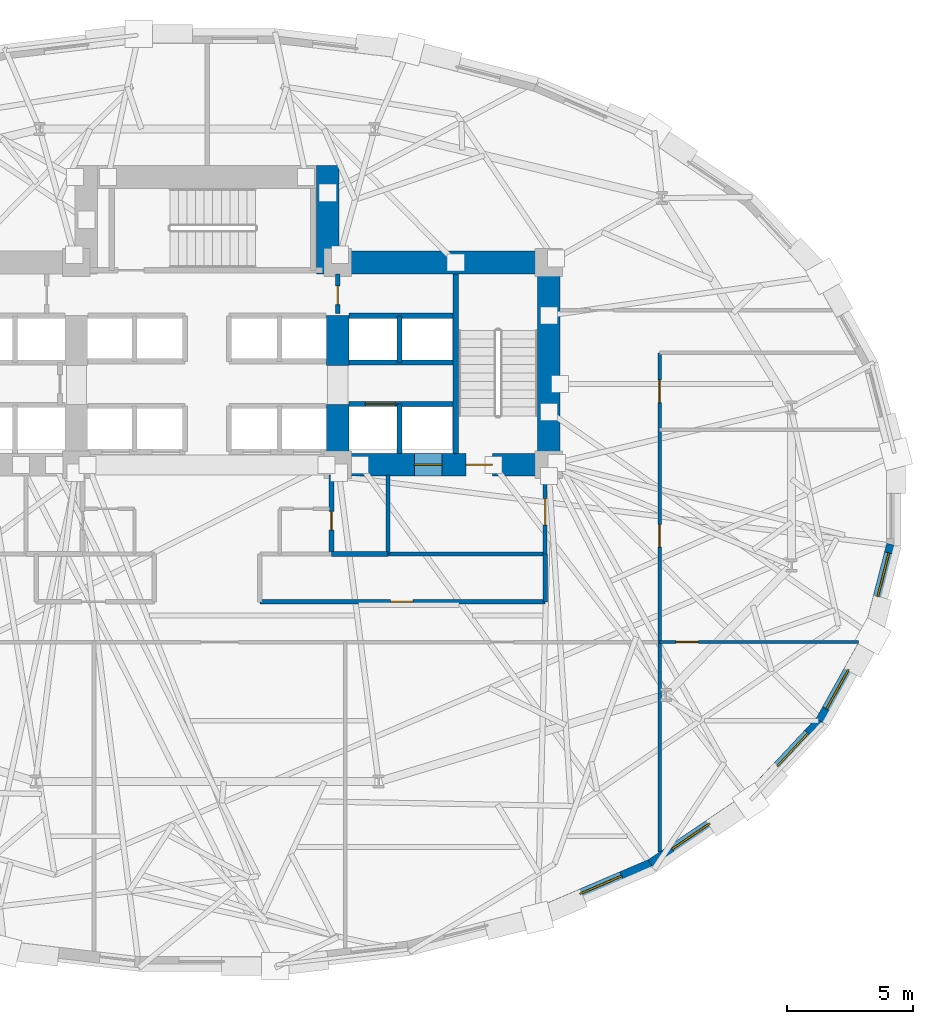
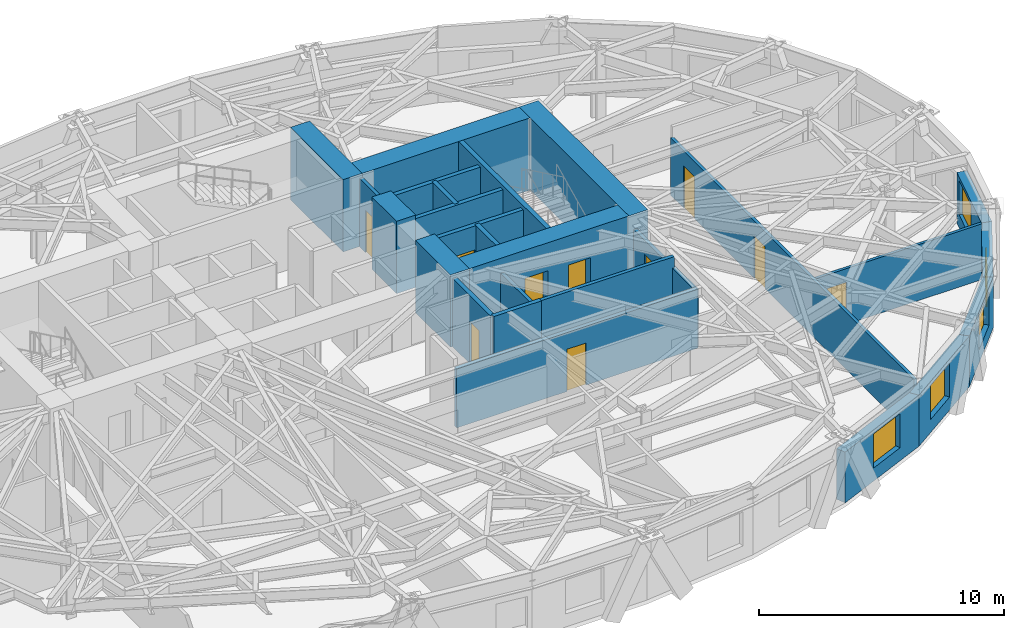
# One storey, part 8 of 13: 27 walls, 10 doors, 5 windows, 15 openings.
"""IFC4 building model written with IfcOpenShell, lengths in metres."""

from ifc_helpers import new_model, si_unit, direction, frame, frame_2d, origin, place, context, subcontext, project, spatial, rectangle, extrude, material, layer, layer_set, type_object, element, fill, save


model = new_model("IFC4")

# Units and contexts
model_context = context("Model", 3, precision=1e-05, world=origin(), true_north=direction((0.0, 1.0)))
body_context = subcontext(model_context, "Body", "Model", "MODEL_VIEW")
ifc_project = project(units=[si_unit("LENGTHUNIT", "METRE"), si_unit("AREAUNIT", "SQUARE_METRE"), si_unit("VOLUMEUNIT", "CUBIC_METRE"), si_unit("PLANEANGLEUNIT", "RADIAN"), si_unit("MASSUNIT", "GRAM", prefix="KILO")], contexts=[model_context])

# Site, building, storey
site_placement = place(None, origin())
site = spatial("IfcSite", under=ifc_project, at=site_placement, CompositionType="ELEMENT")
building_placement = place(site_placement, origin())
building = spatial("IfcBuilding", under=site, at=building_placement, Name="Keldmark Tower", CompositionType="ELEMENT")
storey_placement = place(building_placement, frame((0.0, 0.0, 45.0)))
storey = spatial("IfcBuildingStorey", under=building, at=storey_placement, Name="L11", CompositionType="ELEMENT", Elevation=45.0)

# Wall, openings, doors
ifc_material_1 = material(Name="Acoustic Double-Layer Gypsum Corridor Partition", Category="gypsum")
ifc_layer_1 = layer(ifc_material_1, 0.139892578125)
ifc_layer_set_1 = layer_set([ifc_layer_1], Name="Acoustic Double-Layer Gypsum Corridor Partition")
wall_type_1 = type_object("IfcWallType", Name="Acoustic Corridor Partition 140 mm", PredefinedType="PARTITIONING", material=ifc_layer_set_1)
wall_1_placement = place(storey_placement, frame((18.0, -13.999755859375, 0.0), z_axis=(0.0, 0.0, 1.0), x_axis=(0.0, 1.0, 0.0)))
wall_1 = element("IfcWall", 1, at=wall_1_placement, inside=storey, type_object=wall_type_1, Name="L11 Acoustic Corridor Partition 140 mm COR-E", PredefinedType="PARTITIONING", context=body_context, shape_type="SweptSolid", body=[
    extrude(rectangle(XDim=19.849853515625, YDim=0.139892578125, at=frame_2d((9.9248046875, 0.0))), origin(), (0.0, 0.0, 1.0), 2.841064453125),
])
opening_1_placement = place(wall_1_placement, frame((12.12451171875, 0.0, 0.0)))
opening_1 = element("IfcOpeningElement", 2, at=opening_1_placement, cuts=wall_1, Name="Opening D-IN090", PredefinedType="OPENING", context=body_context, shape_type="SweptSolid", body=[
    extrude(rectangle(XDim=0.89990234375, YDim=2.10009765625, at=frame_2d((0.449951171875, 1.050048828125))), frame((0.0, 0.079833984375, 0.0), z_axis=(0.0, -1.0, 0.0), x_axis=(1.0, 0.0, 0.0)), (0.0, 0.0, 1.0), 0.159912109375),
])
opening_2_placement = place(wall_1_placement, frame((17.87451171875, 0.0, 0.0)))
opening_2 = element("IfcOpeningElement", 3, at=opening_2_placement, cuts=wall_1, Name="Opening D-IN090", PredefinedType="OPENING", context=body_context, shape_type="SweptSolid", body=[
    extrude(rectangle(XDim=0.89990234375, YDim=2.10009765625, at=frame_2d((0.449951171875, 1.050048828125))), frame((0.0, 0.079833984375, 0.0), z_axis=(0.0, -1.0, 0.0), x_axis=(1.0, 0.0, 0.0)), (0.0, 0.0, 1.0), 0.159912109375),
])
ifc_material_2 = material(Name="Stained American White Oak Veneer", Category="wood")
door_type_1 = type_object("IfcDoorType", Name="Interior Door 900x2100", OperationType="NOTDEFINED", PredefinedType="DOOR", material=ifc_material_2)
door_1_placement = place(opening_1_placement, origin())
door_1 = element("IfcDoor", 4, at=door_1_placement, inside=storey, type_object=door_type_1, Name="L11 Interior Door 900x2100 D-ER-1-L11", OperationType="SINGLE_SWING_RIGHT", OverallHeight=2.10009765625, OverallWidth=0.89990234375, PredefinedType="DOOR", context=body_context, shape_type="SweptSolid", body=[
    extrude(rectangle(XDim=0.89990234375, YDim=2.10009765625, at=frame_2d((0.449951171875, 1.050048828125))), frame((0.0, 0.02490234375, 0.0), z_axis=(0.0, -1.0, 0.0), x_axis=(1.0, 0.0, 0.0)), (0.0, 0.0, 1.0), 0.050048828125),
])
fill(opening_1, door_1)
door_2_placement = place(opening_2_placement, origin())
door_2 = element("IfcDoor", 5, at=door_2_placement, inside=storey, type_object=door_type_1, Name="L11 Interior Door 900x2100 D-ER-2-L11", OperationType="SINGLE_SWING_LEFT", OverallHeight=2.10009765625, OverallWidth=0.89990234375, PredefinedType="DOOR", context=body_context, shape_type="SweptSolid", body=[
    extrude(rectangle(XDim=0.89990234375, YDim=2.10009765625, at=frame_2d((0.449951171875, 1.050048828125))), frame((0.0, 0.02490234375, 0.0), z_axis=(0.0, -1.0, 0.0), x_axis=(1.0, 0.0, 0.0)), (0.0, 0.0, 1.0), 0.050048828125),
])
fill(opening_2, door_2)

# Wall, opening, door
ifc_material_3 = material(Name="Heavy Acoustic Plumbing Chase Gypsum Assembly", Category="gypsum")
ifc_layer_2 = layer(ifc_material_3, 0.18994140625)
ifc_layer_set_2 = layer_set([ifc_layer_2], Name="Heavy Acoustic Plumbing Chase Gypsum Assembly")
wall_type_2 = type_object("IfcWallType", Name="Heavy Wet Wall 190 mm", PredefinedType="PLUMBINGWALL", material=ifc_layer_set_2)
wall_2_placement = place(storey_placement, frame((2.10009765625, -4.050048828125, 0.0), z_axis=(0.0, 0.0, 1.0), x_axis=(1.0, 0.0, 0.0)))
wall_2 = element("IfcWall", 6, at=wall_2_placement, inside=storey, type_object=wall_type_2, Name="L11 Heavy Wet Wall 190 mm SPK-E-S", PredefinedType="PLUMBINGWALL", context=body_context, shape_type="SweptSolid", body=[
    extrude(rectangle(XDim=11.349853515625, YDim=0.18994140625, at=frame_2d((5.6748046875, 0.0))), origin(), (0.0, 0.0, 1.0), 2.93310546875),
])
opening_3_placement = place(wall_2_placement, frame((5.199951171875, 0.0, 0.0)))
opening_3 = element("IfcOpeningElement", 7, at=opening_3_placement, cuts=wall_2, Name="Opening D-IN090", PredefinedType="OPENING", context=body_context, shape_type="SweptSolid", body=[
    extrude(rectangle(XDim=0.89990234375, YDim=2.10009765625, at=frame_2d((0.449951171875, 1.050048828125))), frame((0.0, 0.10498046875, 0.0), z_axis=(0.0, -1.0, 0.0), x_axis=(1.0, 0.0, 0.0)), (0.0, 0.0, 1.0), 0.2099609375),
])
door_3_placement = place(opening_3_placement, origin())
door_3 = element("IfcDoor", 8, at=door_3_placement, inside=storey, type_object=door_type_1, Name="L11 Interior Door 900x2100 D-SPKE1-L11", OperationType="SINGLE_SWING_RIGHT", OverallHeight=2.10009765625, OverallWidth=0.89990234375, PredefinedType="DOOR", context=body_context, shape_type="SweptSolid", body=[
    extrude(rectangle(XDim=0.89990234375, YDim=2.10009765625, at=frame_2d((0.449951171875, 1.050048828125))), frame((0.0, 0.02490234375, 0.0), z_axis=(0.0, -1.0, 0.0), x_axis=(1.0, 0.0, 0.0)), (0.0, 0.0, 1.0), 0.050048828125),
])
fill(opening_3, door_3)

# Wall
wall_3_placement = place(storey_placement, frame((13.449951171875, -4.050048828125, 0.0), z_axis=(0.0, 0.0, 1.0), x_axis=(0.0, 1.0, 0.0)))
element("IfcWall", 9, at=wall_3_placement, inside=storey, type_object=wall_type_2, Name="L11 Heavy Wet Wall 190 mm SPK-E-E", PredefinedType="PLUMBINGWALL", context=body_context, shape_type="SweptSolid", body=[
    extrude(rectangle(XDim=1.900146484375, YDim=0.18994140625, at=frame_2d((0.9501953125, 0.0))), origin(), (0.0, 0.0, 1.0), 2.85302734375),
])

# Wall, opening, door
ifc_material_4 = material(Name="Acoustic Gypsum Board Interior Partition", Category="gypsum")
ifc_layer_3 = layer(ifc_material_4, 0.1298828125)
ifc_layer_set_3 = layer_set([ifc_layer_3], Name="Acoustic Gypsum Board Interior Partition")
wall_type_3 = type_object("IfcWallType", Name="Interior Partition 130 mm", PredefinedType="PARTITIONING", material=ifc_layer_set_3)
wall_4_placement = place(storey_placement, frame((18.0, -5.64990234375, 0.0), z_axis=(0.0, 0.0, 1.0), x_axis=(1.0, 0.0, 0.0)))
wall_4 = element("IfcWall", 10, at=wall_4_placement, inside=storey, type_object=wall_type_3, Name="L11 Interior Partition 130 mm E-CAP-S", PredefinedType="PARTITIONING", context=body_context, shape_type="SweptSolid", body=[
    extrude(rectangle(XDim=7.91650390625, YDim=0.1298828125, at=frame_2d((3.958251953125, 0.0))), origin(), (0.0, 0.0, 1.0), 2.779052734375),
])
opening_4_placement = place(wall_4_placement, frame((0.64990234375, 0.0, 0.0)))
opening_4 = element("IfcOpeningElement", 11, at=opening_4_placement, cuts=wall_4, Name="Opening D-IN090", PredefinedType="OPENING", context=body_context, shape_type="SweptSolid", body=[
    extrude(rectangle(XDim=0.89990234375, YDim=2.10009765625, at=frame_2d((0.449951171875, 1.050048828125))), frame((0.0, 0.074951171875, 0.0), z_axis=(0.0, -1.0, 0.0), x_axis=(1.0, 0.0, 0.0)), (0.0, 0.0, 1.0), 0.14990234375),
])
door_4_placement = place(opening_4_placement, origin())
door_4 = element("IfcDoor", 12, at=door_4_placement, inside=storey, type_object=door_type_1, Name="L11 Interior Door 900x2100 D-ERSE-L11", OperationType="SINGLE_SWING_RIGHT", OverallHeight=2.10009765625, OverallWidth=0.89990234375, PredefinedType="DOOR", context=body_context, shape_type="SweptSolid", body=[
    extrude(rectangle(XDim=0.89990234375, YDim=2.10009765625, at=frame_2d((0.449951171875, 1.050048828125))), frame((0.0, 0.02490234375, 0.0), z_axis=(0.0, -1.0, 0.0), x_axis=(1.0, 0.0, 0.0)), (0.0, 0.0, 1.0), 0.050048828125),
])
fill(opening_4, door_4)

# Walls
ifc_material_5 = material(Name="Concrete C70/85", Category="concrete")
ifc_layer_4 = layer(ifc_material_5, 0.89990234375)
ifc_layer_set_4 = layer_set([ifc_layer_4], Name="Concrete C70/85")
wall_type_4 = type_object("IfcWallType", Name="Lower Core Shear Wall 900 mm", PredefinedType="SHEAR", material=ifc_layer_set_4)
wall_5_placement = place(storey_placement, frame((13.60009765625, 0.949951171875, 0.0), z_axis=(0.0, 0.0, 1.0), x_axis=(0.0, 1.0, 0.0)))
element("IfcWall", 13, at=wall_5_placement, inside=storey, type_object=wall_type_4, Name="L11 East Core Outer Shear Wall", PredefinedType="SHEAR", context=body_context, shape_type="SweptSolid", body=[
    extrude(rectangle(XDim=8.949951171875, YDim=0.89990234375, at=frame_2d((4.47509765625, 0.0))), origin(), (0.0, 0.0, 1.0), 3.60009765625),
])
wall_6_placement = place(storey_placement, frame((4.35009765625, 9.449951171875, 0.0), z_axis=(0.0, 0.0, 1.0), x_axis=(1.0, 0.0, 0.0)))
element("IfcWall", 14, at=wall_6_placement, inside=storey, type_object=wall_type_4, Name="L11 East Core North Shear Wall", PredefinedType="SHEAR", context=body_context, shape_type="SweptSolid", body=[
    extrude(rectangle(XDim=9.699951171875, YDim=0.89990234375, at=frame_2d((4.85009765625, 0.0))), origin(), (0.0, 0.0, 1.0), 3.60009765625),
])

# Wall, openings, doors
wall_7_placement = place(storey_placement, frame((14.050048828125, 1.39990234375, 0.0), z_axis=(0.0, 0.0, 1.0), x_axis=(-1.0, 0.0, 0.0)))
wall_7 = element("IfcWall", 15, at=wall_7_placement, inside=storey, type_object=wall_type_4, Name="L11 East Core South Shear Wall", PredefinedType="SHEAR", context=body_context, shape_type="SweptSolid", body=[
    extrude(rectangle(XDim=9.300048828125, YDim=0.89990234375, at=frame_2d((4.64990234375, 0.0))), origin(), (0.0, 0.0, 1.0), 3.60009765625),
])
opening_5_placement = place(wall_7_placement, frame((2.699951171875, 0.0, 0.0)))
opening_5 = element("IfcOpeningElement", 16, at=opening_5_placement, cuts=wall_7, Name="Opening D-ST105", PredefinedType="OPENING", context=body_context, shape_type="SweptSolid", body=[
    extrude(rectangle(XDim=1.050048828125, YDim=2.14990234375, at=frame_2d((0.52490234375, 1.074951171875))), frame((0.0, 0.4599609375, 0.0), z_axis=(0.0, -1.0, 0.0), x_axis=(1.0, 0.0, 0.0)), (0.0, 0.0, 1.0), 0.919921875),
])
opening_6_placement = place(wall_7_placement, frame((4.699951171875, 0.0, 0.0)))
opening_6 = element("IfcOpeningElement", 17, at=opening_6_placement, cuts=wall_7, Name="Opening LD-110", PredefinedType="OPENING", context=body_context, shape_type="SweptSolid", body=[
    extrude(rectangle(XDim=1.10009765625, YDim=2.199951171875, at=frame_2d((0.550048828125, 1.10009765625))), frame((0.0, 0.4599609375, 0.0), z_axis=(0.0, -1.0, 0.0), x_axis=(1.0, 0.0, 0.0)), (0.0, 0.0, 1.0), 0.919921875),
])
ifc_material_6 = material(Name="Brushed Bronze Hoistway Sliding Leaf", Category="metal")
door_type_2 = type_object("IfcDoorType", Name="Lift Landing Sliding Door 1100x2200", OperationType="SLIDING_TO_LEFT", PredefinedType="DOOR", material=ifc_material_6)
door_5_placement = place(opening_6_placement, origin())
door_5 = element("IfcDoor", 18, at=door_5_placement, inside=storey, type_object=door_type_2, Name="L11 Lift Landing Sliding Door 1100x2200 LD-EL-FS2-L11", OperationType="SLIDING_TO_LEFT", OverallHeight=2.199951171875, OverallWidth=1.10009765625, PredefinedType="DOOR", context=body_context, shape_type="SweptSolid", body=[
    extrude(rectangle(XDim=1.10009765625, YDim=2.199951171875, at=frame_2d((0.550048828125, 1.10009765625))), frame((0.0, 0.02490234375, 0.0), z_axis=(0.0, -1.0, 0.0), x_axis=(1.0, 0.0, 0.0)), (0.0, 0.0, 1.0), 0.050048828125),
])
fill(opening_6, door_5)
ifc_material_7 = material(Name="Hollow Metal Fire-Rated Door Assembly", Category="metal")
door_type_3 = type_object("IfcDoorType", Name="Stair Fire Door 1050x2150", OperationType="NOTDEFINED", PredefinedType="DOOR", material=ifc_material_7)
door_6_placement = place(opening_5_placement, origin())
door_6 = element("IfcDoor", 19, at=door_6_placement, inside=storey, type_object=door_type_3, Name="L11 Stair Fire Door 1050x2150 D-ST2-L11", OperationType="SINGLE_SWING_LEFT", OverallHeight=2.14990234375, OverallWidth=1.050048828125, PredefinedType="DOOR", context=body_context, shape_type="SweptSolid", body=[
    extrude(rectangle(XDim=1.050048828125, YDim=2.14990234375, at=frame_2d((0.52490234375, 1.074951171875))), frame((0.0, 0.02490234375, 0.0), z_axis=(0.0, -1.0, 0.0), x_axis=(1.0, 0.0, 0.0)), (0.0, 0.0, 1.0), 0.050048828125),
])
fill(opening_5, door_6)

# Walls
wall_8_placement = place(storey_placement, frame((5.199951171875, 0.949951171875, 0.0), z_axis=(0.0, 0.0, 1.0), x_axis=(0.0, 1.0, 0.0)))
element("IfcWall", 20, at=wall_8_placement, inside=storey, type_object=wall_type_4, Name="L11 East Core Inner Shear Pier South", PredefinedType="SHEAR", context=body_context, shape_type="SweptSolid", body=[
    extrude(rectangle(XDim=2.85009765625, YDim=0.89990234375, at=frame_2d((1.425048828125, 0.0))), origin(), (0.0, 0.0, 1.0), 3.60009765625),
])
wall_9_placement = place(storey_placement, frame((5.199951171875, 5.35009765625, 0.0), z_axis=(0.0, 0.0, 1.0), x_axis=(0.0, 1.0, 0.0)))
element("IfcWall", 21, at=wall_9_placement, inside=storey, type_object=wall_type_4, Name="L11 East Core Inner Shear Pier North", PredefinedType="SHEAR", context=body_context, shape_type="SweptSolid", body=[
    extrude(rectangle(XDim=2.0, YDim=0.89990234375, at=frame_2d((1.0, 0.0))), origin(), (0.0, 0.0, 1.0), 3.60009765625),
])
wall_10_placement = place(storey_placement, frame((4.800048828125, 9.0, 0.0), z_axis=(0.0, 0.0, 1.0), x_axis=(0.0, 1.0, 0.0)))
element("IfcWall", 22, at=wall_10_placement, inside=storey, type_object=wall_type_4, Name="L11 North Core East Shear Wall", PredefinedType="SHEAR", context=body_context, shape_type="SweptSolid", body=[
    extrude(rectangle(XDim=4.300048828125, YDim=0.89990234375, at=frame_2d((2.14990234375, 0.0))), origin(), (0.0, 0.0, 1.0), 3.60009765625),
])
ifc_material_8 = material(Name="Type X Fire-Rated Gypsum Partition Assembly", Category="gypsum")
ifc_layer_5 = layer(ifc_material_8, 0.1650390625)
ifc_layer_set_5 = layer_set([ifc_layer_5], Name="Type X Fire-Rated Gypsum Partition Assembly")
wall_type_5 = type_object("IfcWallType", Name="Rated Partition 165 mm", PredefinedType="PARTITIONING", material=ifc_layer_set_5)
wall_11_placement = place(storey_placement, frame((7.199951171875, -2.14990234375, 0.0), z_axis=(0.0, 0.0, 1.0), x_axis=(1.0, 0.0, 0.0)))
element("IfcWall", 23, at=wall_11_placement, inside=storey, type_object=wall_type_5, Name="L11 Rated Partition 165 mm FSAE-E-S", PredefinedType="PARTITIONING", context=body_context, shape_type="SweptSolid", body=[
    extrude(rectangle(XDim=6.25, YDim=0.1650390625, at=frame_2d((3.125, 0.0))), origin(), (0.0, 0.0, 1.0), 3.39990234375),
])
wall_12_placement = place(storey_placement, frame((7.199951171875, -2.14990234375, 0.0), z_axis=(0.0, 0.0, 1.0), x_axis=(0.0, 1.0, 0.0)))
element("IfcWall", 24, at=wall_12_placement, inside=storey, type_object=wall_type_5, Name="L11 Rated Partition 165 mm FSAE-E-W", PredefinedType="PARTITIONING", context=body_context, shape_type="SweptSolid", body=[
    extrude(rectangle(XDim=3.14990234375, YDim=0.1650390625, at=frame_2d((1.574951171875, 0.0))), origin(), (0.0, 0.0, 1.0), 2.85302734375),
])

# Wall, opening, door
wall_13_placement = place(storey_placement, frame((13.449951171875, -2.14990234375, 0.0), z_axis=(0.0, 0.0, 1.0), x_axis=(0.0, 1.0, 0.0)))
wall_13 = element("IfcWall", 25, at=wall_13_placement, inside=storey, type_object=wall_type_5, Name="L11 Rated Partition 165 mm FSAE-E-E", PredefinedType="PARTITIONING", context=body_context, shape_type="SweptSolid", body=[
    extrude(rectangle(XDim=3.14990234375, YDim=0.1650390625, at=frame_2d((1.574951171875, 0.0))), origin(), (0.0, 0.0, 1.0), 2.85302734375),
])
opening_7_placement = place(wall_13_placement, frame((1.14990234375, 0.0, 0.0)))
opening_7 = element("IfcOpeningElement", 26, at=opening_7_placement, cuts=wall_13, Name="Opening D-FL105", PredefinedType="OPENING", context=body_context, shape_type="SweptSolid", body=[
    extrude(rectangle(XDim=1.050048828125, YDim=2.14990234375, at=frame_2d((0.52490234375, 1.074951171875))), frame((0.0, 0.092529296875, 0.0), z_axis=(0.0, -1.0, 0.0), x_axis=(1.0, 0.0, 0.0)), (0.0, 0.0, 1.0), 0.18505859375),
])
ifc_material_9 = material(Name="Fire-Rated Mineral-Core Door and Vision Lite", Category="metal")
door_type_4 = type_object("IfcDoorType", Name="Fire Lobby Door 1050x2150", OperationType="NOTDEFINED", PredefinedType="DOOR", material=ifc_material_9)
door_7_placement = place(opening_7_placement, origin())
door_7 = element("IfcDoor", 27, at=door_7_placement, inside=storey, type_object=door_type_4, Name="L11 Fire Lobby Door 1050x2150 D-FSAEE-OUT-L11", OperationType="SINGLE_SWING_LEFT", OverallHeight=2.14990234375, OverallWidth=1.050048828125, PredefinedType="DOOR", context=body_context, shape_type="SweptSolid", body=[
    extrude(rectangle(XDim=1.050048828125, YDim=2.14990234375, at=frame_2d((0.52490234375, 1.074951171875))), frame((0.0, 0.02490234375, 0.0), z_axis=(0.0, -1.0, 0.0), x_axis=(1.0, 0.0, 0.0)), (0.0, 0.0, 1.0), 0.050048828125),
])
fill(opening_7, door_7)

wall_14_placement = place(storey_placement, frame((5.199951171875, 7.419921875, 0.0), z_axis=(0.0, 0.0, 1.0), x_axis=(0.0, 1.0, 0.0)))
wall_14 = element("IfcWall", 28, at=wall_14_placement, inside=storey, type_object=wall_type_5, Name="L11 Rated Partition 165 mm CS-NE-W", PredefinedType="PARTITIONING", context=body_context, shape_type="SweptSolid", body=[
    extrude(rectangle(XDim=1.580078125, YDim=0.1650390625, at=frame_2d((0.7900390625, 0.0))), origin(), (0.0, 0.0, 1.0), 3.39990234375),
])
opening_8_placement = place(wall_14_placement, frame((0.35009765625, 0.0, 0.0)))
opening_8 = element("IfcOpeningElement", 29, at=opening_8_placement, cuts=wall_14, Name="Opening D-RS075", PredefinedType="OPENING", context=body_context, shape_type="SweptSolid", body=[
    extrude(rectangle(XDim=0.75, YDim=2.10009765625, at=frame_2d((0.375, 1.050048828125))), frame((0.0, 0.092529296875, 0.0), z_axis=(0.0, -1.0, 0.0), x_axis=(1.0, 0.0, 0.0)), (0.0, 0.0, 1.0), 0.18505859375),
])
ifc_material_10 = material(Name="Galvanized Fire-Rated Access Leaf", Category="metal")
door_type_5 = type_object("IfcDoorType", Name="Riser Access Door 750x2100", OperationType="NOTDEFINED", PredefinedType="DOOR", material=ifc_material_10)
door_8_placement = place(opening_8_placement, origin())
door_8 = element("IfcDoor", 30, at=door_8_placement, inside=storey, type_object=door_type_5, Name="L11 Riser Access Door 750x2100 D-CSNE1-L11", OperationType="SINGLE_SWING_LEFT", OverallHeight=2.10009765625, OverallWidth=0.75, PredefinedType="DOOR", context=body_context, shape_type="SweptSolid", body=[
    extrude(rectangle(XDim=0.75, YDim=2.10009765625, at=frame_2d((0.375, 1.050048828125))), frame((0.0, 0.02490234375, 0.0), z_axis=(0.0, -1.0, 0.0), x_axis=(1.0, 0.0, 0.0)), (0.0, 0.0, 1.0), 0.050048828125),
])
fill(opening_8, door_8)

# Wall
ifc_material_11 = material(Name="Fire-Resistant Type X Gypsum Shaftliner Coreboard", Category="gypsum")
ifc_layer_6 = layer(ifc_material_11, 0.199951171875)
ifc_layer_set_6 = layer_set([ifc_layer_6], Name="Fire-Resistant Type X Gypsum Shaftliner Coreboard")
wall_type_6 = type_object("IfcWallType", Name="Shaft Wall 200 mm", PredefinedType="SOLIDWALL", material=ifc_layer_set_6)
wall_15_placement = place(storey_placement, frame((4.949951171875, -2.14990234375, 0.0), z_axis=(0.0, 0.0, 1.0), x_axis=(1.0, 0.0, 0.0)))
element("IfcWall", 31, at=wall_15_placement, inside=storey, type_object=wall_type_6, Name="L11 Shaft Wall 200 mm RIS-SE-S", PredefinedType="SOLIDWALL", context=body_context, shape_type="SweptSolid", body=[
    extrude(rectangle(XDim=2.25, YDim=0.199951171875, at=frame_2d((1.125, 0.0))), origin(), (0.0, 0.0, 1.0), 3.39990234375),
])

# Wall, opening, door
wall_16_placement = place(storey_placement, frame((4.949951171875, -2.14990234375, 0.0), z_axis=(0.0, 0.0, 1.0), x_axis=(0.0, 1.0, 0.0)))
wall_16 = element("IfcWall", 32, at=wall_16_placement, inside=storey, type_object=wall_type_6, Name="L11 Shaft Wall 200 mm RIS-SE-W", PredefinedType="SOLIDWALL", context=body_context, shape_type="SweptSolid", body=[
    extrude(rectangle(XDim=3.14990234375, YDim=0.199951171875, at=frame_2d((1.574951171875, 0.0))), origin(), (0.0, 0.0, 1.0), 3.39990234375),
])
opening_9_placement = place(wall_16_placement, frame((0.949951171875, 0.0, 0.0)))
opening_9 = element("IfcOpeningElement", 33, at=opening_9_placement, cuts=wall_16, Name="Opening D-RS075", PredefinedType="OPENING", context=body_context, shape_type="SweptSolid", body=[
    extrude(rectangle(XDim=0.75, YDim=2.10009765625, at=frame_2d((0.375, 1.050048828125))), frame((0.0, 0.10986328125, 0.0), z_axis=(0.0, -1.0, 0.0), x_axis=(1.0, 0.0, 0.0)), (0.0, 0.0, 1.0), 0.219970703125),
])
door_9_placement = place(opening_9_placement, origin())
door_9 = element("IfcDoor", 34, at=door_9_placement, inside=storey, type_object=door_type_5, Name="L11 Riser Access Door 750x2100 D-RISSE-L11", OperationType="SINGLE_SWING_LEFT", OverallHeight=2.10009765625, OverallWidth=0.75, PredefinedType="DOOR", context=body_context, shape_type="SweptSolid", body=[
    extrude(rectangle(XDim=0.75, YDim=2.10009765625, at=frame_2d((0.375, 1.050048828125))), frame((0.0, 0.02490234375, 0.0), z_axis=(0.0, -1.0, 0.0), x_axis=(1.0, 0.0, 0.0)), (0.0, 0.0, 1.0), 0.050048828125),
])
fill(opening_9, door_9)

wall_17_placement = place(storey_placement, frame((5.64990234375, 3.820068359375, 0.0), z_axis=(0.0, 0.0, 1.0), x_axis=(1.0, 0.0, 0.0)))
wall_17 = element("IfcWall", 35, at=wall_17_placement, inside=storey, type_object=wall_type_6, Name="L11 Shaft Wall 200 mm HW-E-S", PredefinedType="SOLIDWALL", context=body_context, shape_type="SweptSolid", body=[
    extrude(rectangle(XDim=4.130126953125, YDim=0.199951171875, at=frame_2d((2.06494140625, 0.0))), origin(), (0.0, 0.0, 1.0), 3.39990234375),
])
opening_10_placement = place(wall_17_placement, frame((0.64990234375, 0.0, 0.0)))
opening_10 = element("IfcOpeningElement", 36, at=opening_10_placement, cuts=wall_17, Name="Opening LD-120", PredefinedType="OPENING", context=body_context, shape_type="SweptSolid", body=[
    extrude(rectangle(XDim=1.199951171875, YDim=2.199951171875, at=frame_2d((0.60009765625, 1.10009765625))), frame((0.0, 0.10986328125, 0.0), z_axis=(0.0, -1.0, 0.0), x_axis=(1.0, 0.0, 0.0)), (0.0, 0.0, 1.0), 0.219970703125),
])
ifc_material_12 = material(Name="Heavy-Duty Brushed Metal Hoistway Sliding Leaf", Category="metal")
door_type_6 = type_object("IfcDoorType", Name="Service Lift Sliding Door 1200x2200", OperationType="SLIDING_TO_RIGHT", PredefinedType="DOOR", material=ifc_material_12)
door_10_placement = place(opening_10_placement, origin())
door_10 = element("IfcDoor", 37, at=door_10_placement, inside=storey, type_object=door_type_6, Name="L11 Service Lift Sliding Door 1200x2200 LD-EL-SV1-L11", OperationType="SLIDING_TO_RIGHT", OverallHeight=2.199951171875, OverallWidth=1.199951171875, PredefinedType="DOOR", context=body_context, shape_type="SweptSolid", body=[
    extrude(rectangle(XDim=1.199951171875, YDim=2.199951171875, at=frame_2d((0.60009765625, 1.10009765625))), frame((0.0, 0.02490234375, 0.0), z_axis=(0.0, -1.0, 0.0), x_axis=(1.0, 0.0, 0.0)), (0.0, 0.0, 1.0), 0.050048828125),
])
fill(opening_10, door_10)

# Walls
wall_18_placement = place(storey_placement, frame((7.64990234375, 1.85009765625, 0.0), z_axis=(0.0, 0.0, 1.0), x_axis=(0.0, 1.0, 0.0)))
element("IfcWall", 38, at=wall_18_placement, inside=storey, type_object=wall_type_6, Name="L11 Shaft Wall 200 mm HW-E-M", PredefinedType="SOLIDWALL", context=body_context, shape_type="SweptSolid", body=[
    extrude(rectangle(XDim=1.969970703125, YDim=0.199951171875, at=frame_2d((0.98486328125, 0.0))), origin(), (0.0, 0.0, 1.0), 3.39990234375),
])
for number, where, z_axis, x_axis, name in (
    (39, (5.64990234375, 5.469970703125, 0.0), (0.0, 0.0, 1.0), (1.0, 0.0, 0.0), "L11 Shaft Wall 200 mm HW-E-N"),
    (40, (5.64990234375, 7.330078125, 0.0), (0.0, 0.0, 1.0), (1.0, 0.0, 0.0), "L11 Shaft Wall 200 mm HW-E-TOP"),
):
    element("IfcWall", number, at=place(storey_placement, frame(where, z_axis=z_axis, x_axis=x_axis)), inside=storey, type_object=wall_type_6, Name=name, PredefinedType="SOLIDWALL", context=body_context, shape_type="SweptSolid", body=[
        extrude(rectangle(XDim=4.130126953125, YDim=0.199951171875, at=frame_2d((2.06494140625, 0.0))), origin(), (0.0, 0.0, 1.0), 3.39990234375),
    ])
wall_19_placement = place(storey_placement, frame((7.64990234375, 5.469970703125, 0.0), z_axis=(0.0, 0.0, 1.0), x_axis=(0.0, 1.0, 0.0)))
element("IfcWall", 41, at=wall_19_placement, inside=storey, type_object=wall_type_6, Name="L11 Shaft Wall 200 mm HW-E-NM", PredefinedType="SOLIDWALL", context=body_context, shape_type="SweptSolid", body=[
    extrude(rectangle(XDim=1.860107421875, YDim=0.199951171875, at=frame_2d((0.93017578125, 0.0))), origin(), (0.0, 0.0, 1.0), 3.39990234375),
])
ifc_material_13 = material(Name="Concrete C50/60", Category="concrete")
ifc_layer_7 = layer(ifc_material_13, 0.219970703125)
ifc_layer_set_7 = layer_set([ifc_layer_7], Name="Concrete C50/60")
wall_type_7 = type_object("IfcWallType", Name="Stair Core Shear Wall 220 mm", PredefinedType="SHEAR", material=ifc_layer_set_7)
wall_20_placement = place(storey_placement, frame((9.889892578125, 1.85009765625, 0.0), z_axis=(0.0, 0.0, 1.0), x_axis=(0.0, 1.0, 0.0)))
element("IfcWall", 42, at=wall_20_placement, inside=storey, type_object=wall_type_7, Name="L11 East Stair Core Shear Wall", PredefinedType="SHEAR", context=body_context, shape_type="SweptSolid", body=[
    extrude(rectangle(XDim=7.14990234375, YDim=0.219970703125, at=frame_2d((3.574951171875, 0.0))), origin(), (0.0, 0.0, 1.0), 3.60009765625),
])

# Wall, opening, window
ifc_material_14 = material(Name="Ironspot Manganese Brick and Kasota Buff Limestone Spandrel Assembly", Category="masonry")
ifc_layer_8 = layer(ifc_material_14, 0.43994140625)
ifc_layer_set_8 = layer_set([ifc_layer_8], Name="Ironspot Manganese Brick and Kasota Buff Limestone Spandrel Assembly")
wall_type_8 = type_object("IfcWallType", Name="Tower Brick Pier and Spandrel Wall 440 mm", PredefinedType="STANDARD", material=ifc_layer_set_8)
wall_21_placement = place(storey_placement, frame((17.69970703125, -14.4833984375, 0.0), z_axis=(0.0, 0.0, 1.0), x_axis=(-0.918881850071, -0.394532819433, 0.0)))
wall_21 = element("IfcWall", 43, at=wall_21_placement, inside=storey, type_object=wall_type_8, Name="L11 Exterior Brick and Spandrel Wall 27", PredefinedType="STANDARD", context=body_context, shape_type="SweptSolid", body=[
    extrude(rectangle(XDim=5.0419921875, YDim=0.43994140625, at=frame_2d((2.52099609375, 0.0))), origin(), (0.0, 0.0, 1.0), 2.529052734375),
])
opening_11_placement = place(wall_21_placement, frame((1.296875, 0.0, 0.64990234375)))
opening_11 = element("IfcOpeningElement", 44, at=opening_11_placement, cuts=wall_21, Name="Opening W-02", PredefinedType="OPENING", context=body_context, shape_type="SweptSolid", body=[
    extrude(rectangle(XDim=1.800048828125, YDim=1.699951171875, at=frame_2d((0.89990234375, 0.85009765625))), frame((0.0, 0.22998046875, 0.0), z_axis=(0.0, -1.0, 0.0), x_axis=(1.0, 0.0, 0.0)), (0.0, 0.0, 1.0), 0.4599609375),
])
ifc_material_15 = material(Name="Thermally Broken Anodized Aluminum and Triple Low-E Argon Glazing", Category="aluminium")
window_type = type_object("IfcWindowType", Name="Office Deep-Set Triple Window 1800x1700", PartitioningType="TRIPLE_PANEL_VERTICAL", PredefinedType="WINDOW", material=ifc_material_15)
window_1_placement = place(opening_11_placement, origin())
window_1 = element("IfcWindow", 45, at=window_1_placement, inside=storey, type_object=window_type, Name="L11 Deep-Set Window 27", OverallHeight=1.699951171875, OverallWidth=1.800048828125, PartitioningType="SINGLE_PANEL", PredefinedType="WINDOW", context=body_context, shape_type="SweptSolid", body=[
    extrude(rectangle(XDim=1.800048828125, YDim=1.699951171875, at=frame_2d((0.89990234375, 0.85009765625))), frame((0.0, -0.010009765625, 0.0), z_axis=(0.0, -1.0, 0.0), x_axis=(1.0, 0.0, 0.0)), (0.0, 0.0, 1.0), 0.06005859375),
])
fill(opening_11, window_1)

wall_22_placement = place(storey_placement, frame((21.54931640625, -11.8701171875, 0.0), z_axis=(0.0, 0.0, 1.0), x_axis=(-0.827825981515, -0.560984976919, 0.0)))
wall_22 = element("IfcWall", 46, at=wall_22_placement, inside=storey, type_object=wall_type_8, Name="L11 Exterior Brick and Spandrel Wall 28", PredefinedType="STANDARD", context=body_context, shape_type="SweptSolid", body=[
    extrude(rectangle(XDim=4.694580078125, YDim=0.43994140625, at=frame_2d((2.34716796875, 0.0))), origin(), (0.0, 0.0, 1.0), 2.529052734375),
])
opening_12_placement = place(wall_22_placement, frame((1.846435546875, 0.0, 0.64990234375)))
opening_12 = element("IfcOpeningElement", 47, at=opening_12_placement, cuts=wall_22, Name="Opening W-02", PredefinedType="OPENING", context=body_context, shape_type="SweptSolid", body=[
    extrude(rectangle(XDim=1.800048828125, YDim=1.699951171875, at=frame_2d((0.89990234375, 0.85009765625))), frame((0.0, 0.22998046875, 0.0), z_axis=(0.0, -1.0, 0.0), x_axis=(1.0, 0.0, 0.0)), (0.0, 0.0, 1.0), 0.4599609375),
])
window_2_placement = place(opening_12_placement, origin())
window_2 = element("IfcWindow", 48, at=window_2_placement, inside=storey, type_object=window_type, Name="L11 Deep-Set Window 28", OverallHeight=1.699951171875, OverallWidth=1.800048828125, PartitioningType="SINGLE_PANEL", PredefinedType="WINDOW", context=body_context, shape_type="SweptSolid", body=[
    extrude(rectangle(XDim=1.800048828125, YDim=1.699951171875, at=frame_2d((0.89990234375, 0.85009765625))), frame((0.0, -0.010009765625, 0.0), z_axis=(0.0, -1.0, 0.0), x_axis=(1.0, 0.0, 0.0)), (0.0, 0.0, 1.0), 0.06005859375),
])
fill(opening_12, window_2)

wall_23_placement = place(storey_placement, frame((24.44775390625, -8.7626953125, 0.0), z_axis=(0.0, 0.0, 1.0), x_axis=(-0.68299392258, -0.730424056093, 0.0)))
wall_23 = element("IfcWall", 49, at=wall_23_placement, inside=storey, type_object=wall_type_8, Name="L11 Exterior Brick and Spandrel Wall 29", PredefinedType="STANDARD", context=body_context, shape_type="SweptSolid", body=[
    extrude(rectangle(XDim=4.298095703125, YDim=0.43994140625, at=frame_2d((2.14892578125, 0.0))), origin(), (0.0, 0.0, 1.0), 2.529052734375),
])
opening_13_placement = place(wall_23_placement, frame((0.74951171875, 0.0, 0.64990234375)))
opening_13 = element("IfcOpeningElement", 50, at=opening_13_placement, cuts=wall_23, Name="Opening W-02", PredefinedType="OPENING", context=body_context, shape_type="SweptSolid", body=[
    extrude(rectangle(XDim=1.800048828125, YDim=1.699951171875, at=frame_2d((0.89990234375, 0.85009765625))), frame((0.0, 0.22998046875, 0.0), z_axis=(0.0, -1.0, 0.0), x_axis=(1.0, 0.0, 0.0)), (0.0, 0.0, 1.0), 0.4599609375),
])
window_3_placement = place(opening_13_placement, origin())
window_3 = element("IfcWindow", 51, at=window_3_placement, inside=storey, type_object=window_type, Name="L11 Deep-Set Window 29", OverallHeight=1.699951171875, OverallWidth=1.800048828125, PartitioningType="SINGLE_PANEL", PredefinedType="WINDOW", context=body_context, shape_type="SweptSolid", body=[
    extrude(rectangle(XDim=1.800048828125, YDim=1.699951171875, at=frame_2d((0.89990234375, 0.85009765625))), frame((0.0, -0.010009765625, 0.0), z_axis=(0.0, -1.0, 0.0), x_axis=(1.0, 0.0, 0.0)), (0.0, 0.0, 1.0), 0.06005859375),
])
fill(opening_13, window_3)

wall_24_placement = place(storey_placement, frame((26.34619140625, -5.347900390625, 0.0), z_axis=(0.0, 0.0, 1.0), x_axis=(-0.487369438963, -0.873195871477, 0.0)))
wall_24 = element("IfcWall", 52, at=wall_24_placement, inside=storey, type_object=wall_type_8, Name="L11 Exterior Brick and Spandrel Wall 30", PredefinedType="STANDARD", context=body_context, shape_type="SweptSolid", body=[
    extrude(rectangle(XDim=3.9599609375, YDim=0.43994140625, at=frame_2d((1.97998046875, 0.0))), origin(), (0.0, 0.0, 1.0), 2.529052734375),
])
opening_14_placement = place(wall_24_placement, frame((1.617919921875, 0.0, 0.64990234375)))
opening_14 = element("IfcOpeningElement", 53, at=opening_14_placement, cuts=wall_24, Name="Opening W-02", PredefinedType="OPENING", context=body_context, shape_type="SweptSolid", body=[
    extrude(rectangle(XDim=1.800048828125, YDim=1.699951171875, at=frame_2d((0.89990234375, 0.85009765625))), frame((0.0, 0.22998046875, 0.0), z_axis=(0.0, -1.0, 0.0), x_axis=(1.0, 0.0, 0.0)), (0.0, 0.0, 1.0), 0.4599609375),
])
window_4_placement = place(opening_14_placement, origin())
window_4 = element("IfcWindow", 54, at=window_4_placement, inside=storey, type_object=window_type, Name="L11 Deep-Set Window 30", OverallHeight=1.699951171875, OverallWidth=1.800048828125, PartitioningType="SINGLE_PANEL", PredefinedType="WINDOW", context=body_context, shape_type="SweptSolid", body=[
    extrude(rectangle(XDim=1.800048828125, YDim=1.699951171875, at=frame_2d((0.89990234375, 0.85009765625))), frame((0.0, -0.010009765625, 0.0), z_axis=(0.0, -1.0, 0.0), x_axis=(1.0, 0.0, 0.0)), (0.0, 0.0, 1.0), 0.06005859375),
])
fill(opening_14, window_4)

wall_25_placement = place(storey_placement, frame((27.252685546875, -1.7783203125, 0.0), z_axis=(0.0, 0.0, 1.0), x_axis=(-0.248062710061, -0.968743976434, 0.0)))
wall_25 = element("IfcWall", 55, at=wall_25_placement, inside=storey, type_object=wall_type_8, Name="L11 Exterior Brick and Spandrel Wall 31", PredefinedType="STANDARD", context=body_context, shape_type="SweptSolid", body=[
    extrude(rectangle(XDim=3.739013671875, YDim=0.43994140625, at=frame_2d((1.86962890625, 0.0))), origin(), (0.0, 0.0, 1.0), 2.529052734375),
])
opening_15_placement = place(wall_25_placement, frame((0.348876953125, 0.0, 0.64990234375)))
opening_15 = element("IfcOpeningElement", 56, at=opening_15_placement, cuts=wall_25, Name="Opening W-02", PredefinedType="OPENING", context=body_context, shape_type="SweptSolid", body=[
    extrude(rectangle(XDim=1.800048828125, YDim=1.699951171875, at=frame_2d((0.89990234375, 0.85009765625))), frame((0.0, 0.22998046875, 0.0), z_axis=(0.0, -1.0, 0.0), x_axis=(1.0, 0.0, 0.0)), (0.0, 0.0, 1.0), 0.4599609375),
])
window_5_placement = place(opening_15_placement, origin())
window_5 = element("IfcWindow", 57, at=window_5_placement, inside=storey, type_object=window_type, Name="L11 Deep-Set Window 31", OverallHeight=1.699951171875, OverallWidth=1.800048828125, PartitioningType="SINGLE_PANEL", PredefinedType="WINDOW", context=body_context, shape_type="SweptSolid", body=[
    extrude(rectangle(XDim=1.800048828125, YDim=1.699951171875, at=frame_2d((0.89990234375, 0.85009765625))), frame((0.0, -0.010009765625, 0.0), z_axis=(0.0, -1.0, 0.0), x_axis=(1.0, 0.0, 0.0)), (0.0, 0.0, 1.0), 0.06005859375),
])
fill(opening_15, window_5)

save(model, "model.ifc")
